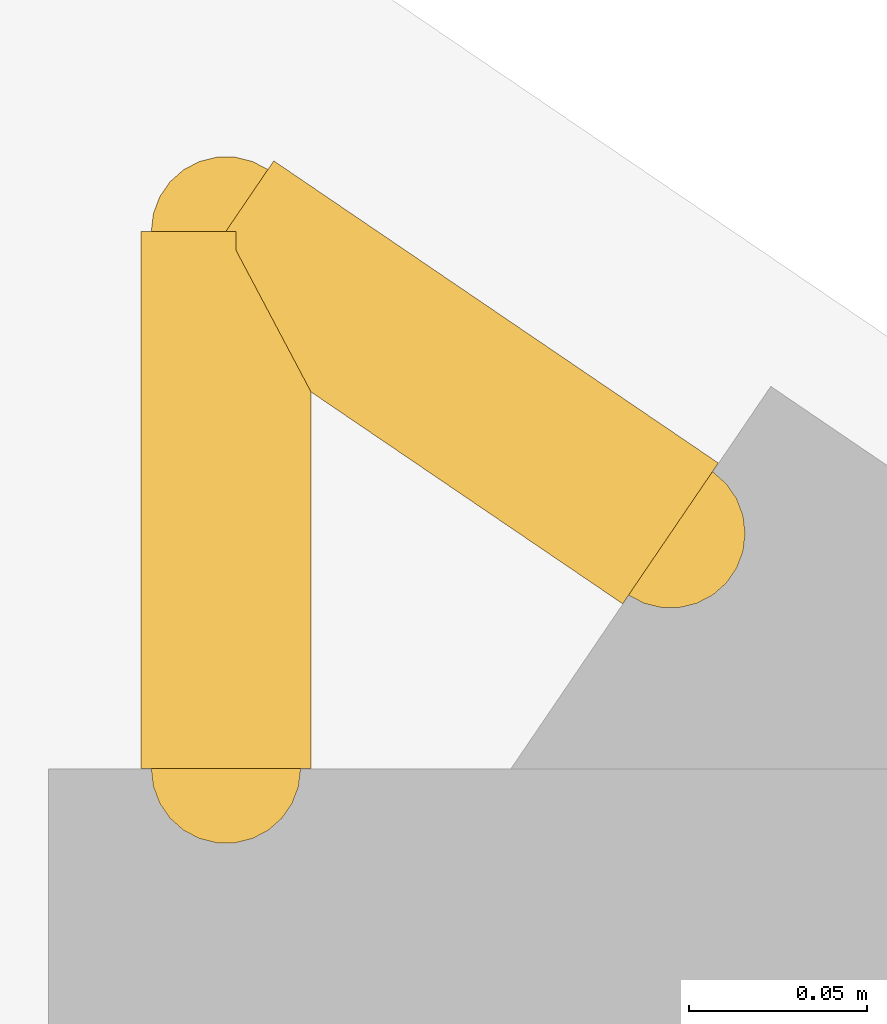
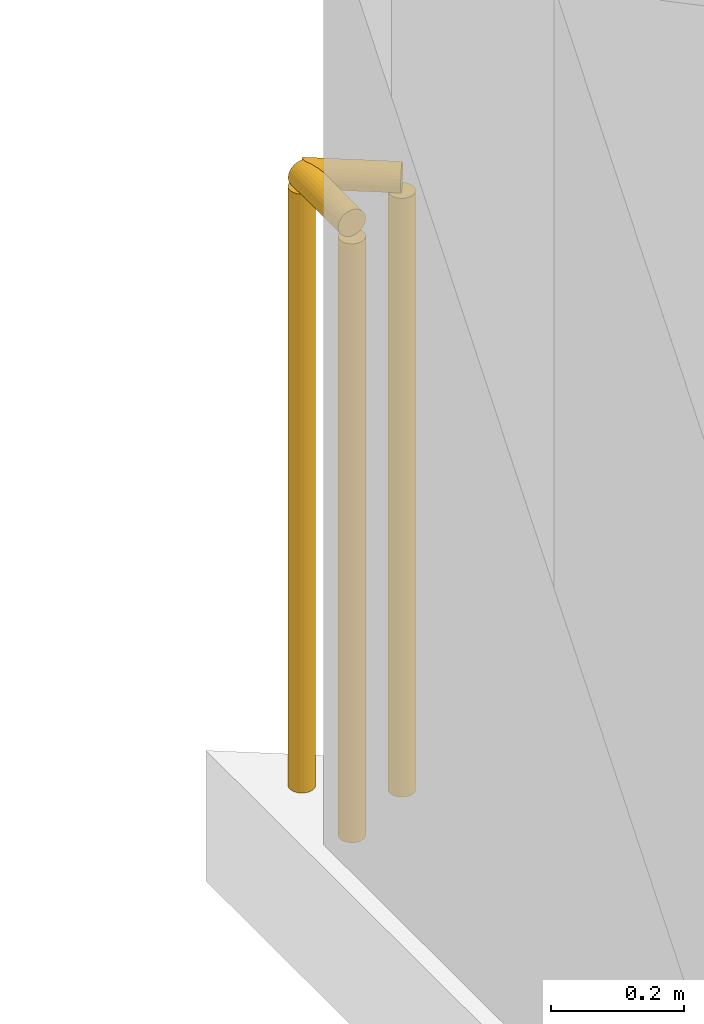
# One storey, part 17 of 18: 2 railings.
"""IFC4 building model written with IfcOpenShell, lengths in metres."""

from ifc_helpers import new_model, si_unit, direction, frame, origin, origin_2d, place, context, subcontext, project, spatial, circle, extrude, material, type_object, element, save


model = new_model("IFC4")

# Units and contexts
model_context = context("Model", 3, precision=1e-05, world=origin(), true_north=direction((0.0, 1.0)))
body_context = subcontext(model_context, "Body", "Model", "MODEL_VIEW")
ifc_project = project(units=[si_unit("LENGTHUNIT", "METRE"), si_unit("AREAUNIT", "SQUARE_METRE"), si_unit("VOLUMEUNIT", "CUBIC_METRE"), si_unit("PLANEANGLEUNIT", "RADIAN"), si_unit("MASSUNIT", "GRAM", prefix="KILO")], contexts=[model_context])

# Site, building, storey
site_placement = place(None, origin())
site = spatial("IfcSite", under=ifc_project, at=site_placement, CompositionType="ELEMENT")
building_placement = place(site_placement, origin())
building = spatial("IfcBuilding", under=site, at=building_placement, Name="Varnakote Quay Hospital", CompositionType="ELEMENT")
storey_placement = place(building_placement, frame((0.0, 0.0, 73.85009765625)))
storey = spatial("IfcBuildingStorey", under=building, at=storey_placement, Name="L18", CompositionType="ELEMENT", Elevation=73.85009765625)

# Railings
ifc_material = material(Name="Anodised aluminium 6063-T6 Bronze", Category="aluminium")
railing_type = type_object("IfcRailingType", Name="RLG-EXT-GUARD-1150", PredefinedType="GUARDRAIL", material=ifc_material)
railing_1_placement = place(storey_placement, frame((2.679931640625, 43.497802734375, 0.0)))
element("IfcRailing", 1, at=railing_1_placement, inside=storey, type_object=railing_type, Name="L18 Slab Edge Perimeter Safety Guard", PredefinedType="GUARDRAIL", context=body_context, shape_type="SweptSolid", body=[
    extrude(circle(Radius=0.02392578125, at=origin_2d()), frame((0.0, 0.0, 1.1259765625), z_axis=(0.0, 1.0, 0.0), x_axis=(-1.0, 0.0, 0.0)), (0.0, 0.0, 1.0), 0.151123046875),
    extrude(circle(Radius=0.02099609375, at=origin_2d()), origin(), (0.0, 0.0, 1.0), 1.101806640625),
    extrude(circle(Radius=0.02099609375, at=origin_2d()), frame((0.0, 0.151123046875, 0.0)), (0.0, 0.0, 1.0), 1.101806640625),
])
railing_2_placement = place(storey_placement, frame((2.679931640625, 43.64892578125, 0.0)))
element("IfcRailing", 2, at=railing_2_placement, inside=storey, type_object=railing_type, Name="L18 Slab Edge Perimeter Safety Guard", PredefinedType="GUARDRAIL", context=body_context, shape_type="SweptSolid", body=[
    extrude(circle(Radius=0.02392578125, at=origin_2d()), frame((0.0, 0.0, 1.1259765625), z_axis=(0.827046660574, -0.562133277109, 0.0), x_axis=(0.562133277109, 0.827046660574, 0.0)), (0.0, 0.0, 1.0), 0.151123046875),
    extrude(circle(Radius=0.02099609375, at=origin_2d()), origin(), (0.0, 0.0, 1.0), 1.101806640625),
    extrude(circle(Radius=0.02099609375, at=origin_2d()), frame((0.125, -0.0849609375, 0.0)), (0.0, 0.0, 1.0), 1.101806640625),
])

save(model, "model.ifc")
